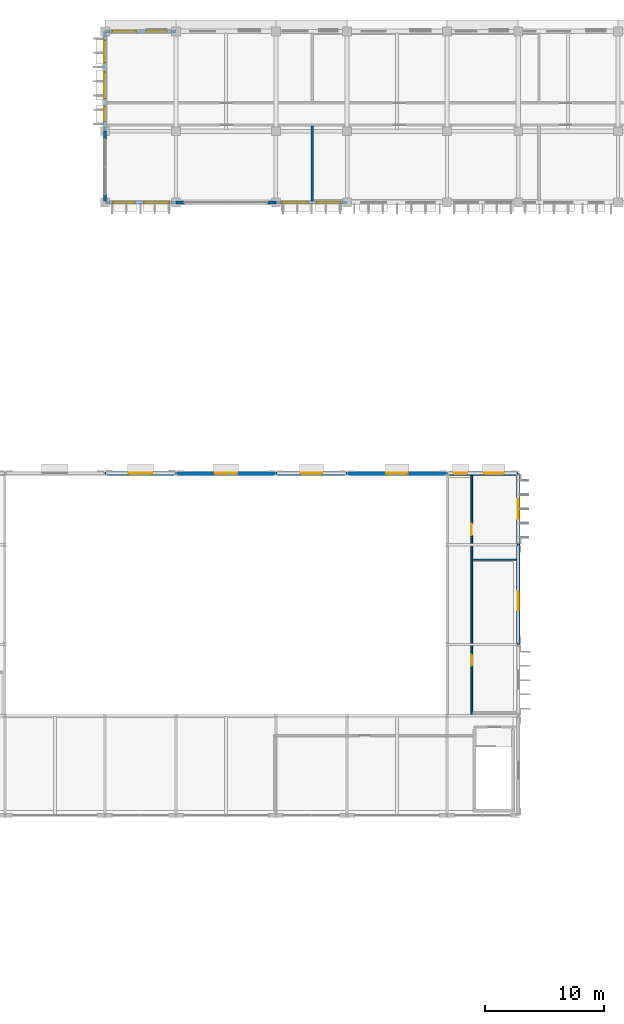
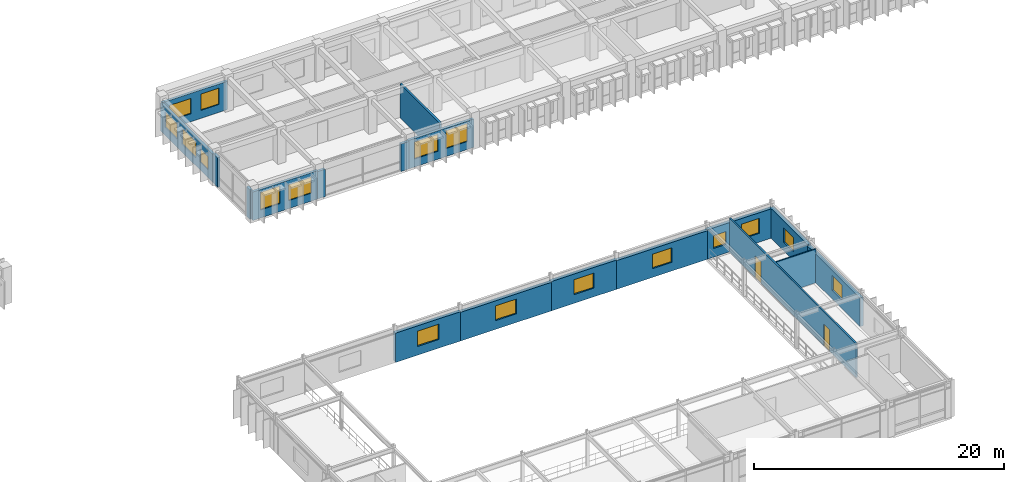
# One storey, part 58 of 88: 18 walls, 17 windows, 2 doors, 19 openings.
"""IFC4 building model written with IfcOpenShell, lengths in metres."""

from ifc_helpers import new_model, si_unit, direction, frame, frame_2d, origin, place, context, subcontext, project, spatial, rectangle, extrude, material, layer, layer_set, type_object, element, fill, save


model = new_model("IFC4")

# Units and contexts
model_context = context("Model", 3, precision=1e-05, world=origin(), true_north=direction((0.0, 1.0)))
body_context = subcontext(model_context, "Body", "Model", "MODEL_VIEW")
ifc_project = project(units=[si_unit("LENGTHUNIT", "METRE"), si_unit("AREAUNIT", "SQUARE_METRE"), si_unit("VOLUMEUNIT", "CUBIC_METRE"), si_unit("PLANEANGLEUNIT", "RADIAN"), si_unit("MASSUNIT", "GRAM", prefix="KILO"), si_unit("THERMODYNAMICTEMPERATUREUNIT", "KELVIN")], contexts=[model_context])

# Site, building, storey
site_placement = place(None, origin())
site = spatial("IfcSite", under=ifc_project, at=site_placement, CompositionType="ELEMENT")
building_placement = place(site_placement, origin())
building = spatial("IfcBuilding", under=site, at=building_placement, Name="Thalorik Housing Commons", CompositionType="ELEMENT")
storey_placement = place(building_placement, frame((0.0, 0.0, 4.5)))
storey = spatial("IfcBuildingStorey", under=building, at=storey_placement, Name="L01", CompositionType="ELEMENT", Elevation=4.5)

# Wall, openings, windows
ifc_material_1 = material(Name="White precast concrete C40/50", Category="concrete")
ifc_layer_1 = layer(ifc_material_1, 0.2451171875, Name="White precast concrete C40/50", Category="concrete")
ifc_layer_set_1 = layer_set([ifc_layer_1], Name="White precast concrete C40/50")
wall_type_1 = type_object("IfcWallType", Name="ARC-WAL-EXT-245", PredefinedType="STANDARD", material=ifc_layer_set_1)
wall_1_placement = place(storey_placement, frame((86.39990234375, 123.60009765625, 0.0), z_axis=(0.0, 0.0, 1.0), x_axis=(-1.0, 0.0, 0.0)))
wall_1 = element("IfcWall", 1, at=wall_1_placement, inside=storey, type_object=wall_type_1, Name="L01 Exterior Wall WAL-EXT-L01-B-0421", PredefinedType="STANDARD", context=body_context, shape_type="SweptSolid", body=[
    extrude(rectangle(XDim=6.0, YDim=0.2451171875, at=frame_2d((3.0, 0.0))), origin(), (0.0, 0.0, 1.0), 2.77490234375),
])
opening_1_placement = place(wall_1_placement, frame((0.780029296875, 0.0, 0.780029296875)))
opening_1 = element("IfcOpeningElement", 2, at=opening_1_placement, cuts=wall_1, Name="Opening W-16", PredefinedType="OPENING", context=body_context, shape_type="SweptSolid", body=[
    extrude(rectangle(XDim=1.699951171875, YDim=1.60009765625, at=frame_2d((0.85009765625, 0.800048828125))), frame((0.0, 0.132568359375, 0.0), z_axis=(0.0, -1.0, 0.0), x_axis=(1.0, 0.0, 0.0)), (0.0, 0.0, 1.0), 0.26513671875),
])
opening_2_placement = place(wall_1_placement, frame((3.3701171875, 0.0, 0.780029296875)))
opening_2 = element("IfcOpeningElement", 3, at=opening_2_placement, cuts=wall_1, Name="Opening W-23", PredefinedType="OPENING", context=body_context, shape_type="SweptSolid", body=[
    extrude(rectangle(XDim=2.0, YDim=1.5, at=frame_2d((1.0, 0.75))), frame((0.0, 0.132568359375, 0.0), z_axis=(0.0, -1.0, 0.0), x_axis=(1.0, 0.0, 0.0)), (0.0, 0.0, 1.0), 0.26513671875),
])
ifc_material_2 = material(Name="Anodised aluminium and solar-control low-E glass", Category="aluminium")
window_type_1 = type_object("IfcWindowType", Name="ARC-WIN-16", PartitioningType="DOUBLE_PANEL_VERTICAL", PredefinedType="WINDOW", material=ifc_material_2)
window_1_placement = place(opening_1_placement, origin())
window_1 = element("IfcWindow", 4, at=window_1_placement, inside=storey, type_object=window_type_1, Name="L01 Facade Window 750", OverallHeight=1.60009765625, OverallWidth=1.699951171875, PartitioningType="DOUBLE_PANEL_VERTICAL", PredefinedType="WINDOW", context=body_context, shape_type="SweptSolid", body=[
    extrude(rectangle(XDim=1.699951171875, YDim=1.60009765625, at=frame_2d((0.85009765625, 0.800048828125))), frame((0.0, 0.030029296875, 0.0), z_axis=(0.0, -1.0, 0.0), x_axis=(1.0, 0.0, 0.0)), (0.0, 0.0, 1.0), 0.06005859375),
])
fill(opening_1, window_1)
window_type_2 = type_object("IfcWindowType", Name="ARC-WIN-23", PartitioningType="DOUBLE_PANEL_VERTICAL", PredefinedType="WINDOW", material=ifc_material_2)
window_2_placement = place(opening_2_placement, origin())
window_2 = element("IfcWindow", 5, at=window_2_placement, inside=storey, type_object=window_type_2, Name="L01 Facade Window 751", OverallHeight=1.5, OverallWidth=2.0, PartitioningType="DOUBLE_PANEL_VERTICAL", PredefinedType="WINDOW", context=body_context, shape_type="SweptSolid", body=[
    extrude(rectangle(XDim=2.0, YDim=1.5, at=frame_2d((1.0, 0.75))), frame((0.0, 0.030029296875, 0.0), z_axis=(0.0, -1.0, 0.0), x_axis=(1.0, 0.0, 0.0)), (0.0, 0.0, 1.0), 0.06005859375),
])
fill(opening_2, window_2)

wall_2_placement = place(storey_placement, frame((80.39990234375, 123.60009765625, 0.0), z_axis=(0.0, 0.0, 1.0), x_axis=(0.0, -1.0, 0.0)))
wall_2 = element("IfcWall", 6, at=wall_2_placement, inside=storey, type_object=wall_type_1, Name="L01 Exterior Wall WAL-EXT-L01-B-0422", PredefinedType="STANDARD", context=body_context, shape_type="SweptSolid", body=[
    extrude(rectangle(XDim=8.400146484375, YDim=0.2451171875, at=frame_2d((4.2001953125, 0.0))), origin(), (0.0, 0.0, 1.0), 2.72509765625),
])
opening_3_placement = place(wall_2_placement, frame((0.742431640625, 0.0, 0.780029296875)))
opening_3 = element("IfcOpeningElement", 7, at=opening_3_placement, cuts=wall_2, Name="Opening W-59", PredefinedType="OPENING", context=body_context, shape_type="SweptSolid", body=[
    extrude(rectangle(XDim=1.8798828125, YDim=1.52001953125, at=frame_2d((0.93994140625, 0.760009765625))), frame((0.0, 0.132568359375, 0.0), z_axis=(0.0, -1.0, 0.0), x_axis=(1.0, 0.0, 0.0)), (0.0, 0.0, 1.0), 0.26513671875),
])
opening_4_placement = place(wall_2_placement, frame((3.407470703125, 0.0, 0.780029296875)))
opening_4 = element("IfcOpeningElement", 8, at=opening_4_placement, cuts=wall_2, Name="Opening W-66", PredefinedType="OPENING", context=body_context, shape_type="SweptSolid", body=[
    extrude(rectangle(XDim=2.239990234375, YDim=1.52001953125, at=frame_2d((1.1201171875, 0.760009765625))), frame((0.0, 0.132568359375, 0.0), z_axis=(0.0, -1.0, 0.0), x_axis=(1.0, 0.0, 0.0)), (0.0, 0.0, 1.0), 0.26513671875),
])
opening_5_placement = place(wall_2_placement, frame((6.324951171875, 0.0, 0.780029296875)))
opening_5 = element("IfcOpeningElement", 9, at=opening_5_placement, cuts=wall_2, Name="Opening W-46", PredefinedType="OPENING", context=body_context, shape_type="SweptSolid", body=[
    extrude(rectangle(XDim=1.25, YDim=1.300048828125, at=frame_2d((0.625, 0.64990234375))), frame((0.0, 0.132568359375, 0.0), z_axis=(0.0, -1.0, 0.0), x_axis=(1.0, 0.0, 0.0)), (0.0, 0.0, 1.0), 0.26513671875),
])
window_type_3 = type_object("IfcWindowType", Name="ARC-WIN-46", PartitioningType="SINGLE_PANEL", PredefinedType="WINDOW", material=ifc_material_2)
window_3_placement = place(opening_5_placement, origin())
window_3 = element("IfcWindow", 10, at=window_3_placement, inside=storey, type_object=window_type_3, Name="L01 Facade Window 754", OverallHeight=1.300048828125, OverallWidth=1.25, PartitioningType="SINGLE_PANEL", PredefinedType="WINDOW", context=body_context, shape_type="SweptSolid", body=[
    extrude(rectangle(XDim=1.25, YDim=1.300048828125, at=frame_2d((0.625, 0.64990234375))), frame((0.0, 0.030029296875, 0.0), z_axis=(0.0, -1.0, 0.0), x_axis=(1.0, 0.0, 0.0)), (0.0, 0.0, 1.0), 0.06005859375),
])
fill(opening_5, window_3)
window_type_4 = type_object("IfcWindowType", Name="ARC-WIN-59", PartitioningType="DOUBLE_PANEL_VERTICAL", PredefinedType="WINDOW", material=ifc_material_2)
window_4_placement = place(opening_3_placement, origin())
window_4 = element("IfcWindow", 11, at=window_4_placement, inside=storey, type_object=window_type_4, Name="L01 Facade Window 752", OverallHeight=1.52001953125, OverallWidth=1.8798828125, PartitioningType="DOUBLE_PANEL_VERTICAL", PredefinedType="WINDOW", context=body_context, shape_type="SweptSolid", body=[
    extrude(rectangle(XDim=1.8798828125, YDim=1.52001953125, at=frame_2d((0.93994140625, 0.760009765625))), frame((0.0, 0.030029296875, 0.0), z_axis=(0.0, -1.0, 0.0), x_axis=(1.0, 0.0, 0.0)), (0.0, 0.0, 1.0), 0.06005859375),
])
fill(opening_3, window_4)
window_type_5 = type_object("IfcWindowType", Name="ARC-WIN-66", PartitioningType="DOUBLE_PANEL_VERTICAL", PredefinedType="WINDOW", material=ifc_material_2)
window_5_placement = place(opening_4_placement, origin())
window_5 = element("IfcWindow", 12, at=window_5_placement, inside=storey, type_object=window_type_5, Name="L01 Facade Window 753", OverallHeight=1.52001953125, OverallWidth=2.239990234375, PartitioningType="DOUBLE_PANEL_VERTICAL", PredefinedType="WINDOW", context=body_context, shape_type="SweptSolid", body=[
    extrude(rectangle(XDim=2.239990234375, YDim=1.52001953125, at=frame_2d((1.1201171875, 0.760009765625))), frame((0.0, 0.030029296875, 0.0), z_axis=(0.0, -1.0, 0.0), x_axis=(1.0, 0.0, 0.0)), (0.0, 0.0, 1.0), 0.06005859375),
])
fill(opening_4, window_5)

# Walls
wall_3_placement = place(storey_placement, frame((80.39990234375, 115.199951171875, 0.0), z_axis=(0.0, 0.0, 1.0), x_axis=(0.0, -1.0, 0.0)))
element("IfcWall", 13, at=wall_3_placement, inside=storey, type_object=wall_type_1, Name="L01 Exterior Wall WAL-PIERL-L01-B-0423", PredefinedType="STANDARD", context=body_context, shape_type="SweptSolid", body=[
    extrude(rectangle(XDim=0.699951171875, YDim=0.2451171875, at=frame_2d((0.35009765625, 0.0))), origin(), (0.0, 0.0, 1.0), 2.875),
])
wall_4_placement = place(storey_placement, frame((80.39990234375, 109.89990234375, 0.0), z_axis=(0.0, 0.0, 1.0), x_axis=(0.0, -1.0, 0.0)))
element("IfcWall", 14, at=wall_4_placement, inside=storey, type_object=wall_type_1, Name="L01 Exterior Wall WAL-PIERR-L01-B-0423", PredefinedType="STANDARD", context=body_context, shape_type="SweptSolid", body=[
    extrude(rectangle(XDim=0.575439453125, YDim=0.2451171875, at=frame_2d((0.28759765625, 0.0))), origin(), (0.0, 0.0, 1.0), 2.875),
])

# Wall, openings, windows
wall_5_placement = place(storey_placement, frame((80.39990234375, 109.199951171875, 0.0), z_axis=(0.0, 0.0, 1.0), x_axis=(1.0, 0.0, 0.0)))
wall_5 = element("IfcWall", 15, at=wall_5_placement, inside=storey, type_object=wall_type_1, Name="L01 Exterior Wall WAL-EXT-L01-B-0424", PredefinedType="STANDARD", context=body_context, shape_type="SweptSolid", body=[
    extrude(rectangle(XDim=6.0, YDim=0.2451171875, at=frame_2d((3.0, 0.0))), origin(), (0.0, 0.0, 1.0), 2.77490234375),
])
opening_6_placement = place(wall_5_placement, frame((0.72998046875, 0.0, 0.780029296875)))
opening_6 = element("IfcOpeningElement", 16, at=opening_6_placement, cuts=wall_5, Name="Opening W-19", PredefinedType="OPENING", context=body_context, shape_type="SweptSolid", body=[
    extrude(rectangle(XDim=1.800048828125, YDim=1.699951171875, at=frame_2d((0.89990234375, 0.85009765625))), frame((0.0, 0.132568359375, 0.0), z_axis=(0.0, -1.0, 0.0), x_axis=(1.0, 0.0, 0.0)), (0.0, 0.0, 1.0), 0.26513671875),
])
opening_7_placement = place(wall_5_placement, frame((3.320068359375, 0.0, 0.780029296875)))
opening_7 = element("IfcOpeningElement", 17, at=opening_7_placement, cuts=wall_5, Name="Opening W-26", PredefinedType="OPENING", context=body_context, shape_type="SweptSolid", body=[
    extrude(rectangle(XDim=2.10009765625, YDim=1.550048828125, at=frame_2d((1.050048828125, 0.77490234375))), frame((0.0, 0.132568359375, 0.0), z_axis=(0.0, -1.0, 0.0), x_axis=(1.0, 0.0, 0.0)), (0.0, 0.0, 1.0), 0.26513671875),
])
window_type_6 = type_object("IfcWindowType", Name="ARC-WIN-19", PartitioningType="DOUBLE_PANEL_VERTICAL", PredefinedType="WINDOW", material=ifc_material_2)
window_6_placement = place(opening_6_placement, origin())
window_6 = element("IfcWindow", 18, at=window_6_placement, inside=storey, type_object=window_type_6, Name="L01 Facade Window 755", OverallHeight=1.699951171875, OverallWidth=1.800048828125, PartitioningType="DOUBLE_PANEL_VERTICAL", PredefinedType="WINDOW", context=body_context, shape_type="SweptSolid", body=[
    extrude(rectangle(XDim=1.800048828125, YDim=1.699951171875, at=frame_2d((0.89990234375, 0.85009765625))), frame((0.0, 0.030029296875, 0.0), z_axis=(0.0, -1.0, 0.0), x_axis=(1.0, 0.0, 0.0)), (0.0, 0.0, 1.0), 0.06005859375),
])
fill(opening_6, window_6)
window_type_7 = type_object("IfcWindowType", Name="ARC-WIN-26", PartitioningType="DOUBLE_PANEL_VERTICAL", PredefinedType="WINDOW", material=ifc_material_2)
window_7_placement = place(opening_7_placement, origin())
window_7 = element("IfcWindow", 19, at=window_7_placement, inside=storey, type_object=window_type_7, Name="L01 Facade Window 756", OverallHeight=1.550048828125, OverallWidth=2.10009765625, PartitioningType="DOUBLE_PANEL_VERTICAL", PredefinedType="WINDOW", context=body_context, shape_type="SweptSolid", body=[
    extrude(rectangle(XDim=2.10009765625, YDim=1.550048828125, at=frame_2d((1.050048828125, 0.77490234375))), frame((0.0, 0.030029296875, 0.0), z_axis=(0.0, -1.0, 0.0), x_axis=(1.0, 0.0, 0.0)), (0.0, 0.0, 1.0), 0.06005859375),
])
fill(opening_7, window_7)

# Walls
wall_6_placement = place(storey_placement, frame((86.39990234375, 109.199951171875, 0.0), z_axis=(0.0, 0.0, 1.0), x_axis=(1.0, 0.0, 0.0)))
element("IfcWall", 20, at=wall_6_placement, inside=storey, type_object=wall_type_1, Name="L01 Exterior Wall WAL-PIERL-L01-B-0425", PredefinedType="STANDARD", context=body_context, shape_type="SweptSolid", body=[
    extrude(rectangle(XDim=0.7001953125, YDim=0.2451171875, at=frame_2d((0.35009765625, 0.0))), origin(), (0.0, 0.0, 1.0), 2.675048828125),
])
wall_7_placement = place(storey_placement, frame((94.10009765625, 109.199951171875, 0.0), z_axis=(0.0, 0.0, 1.0), x_axis=(1.0, 0.0, 0.0)))
element("IfcWall", 21, at=wall_7_placement, inside=storey, type_object=wall_type_1, Name="L01 Exterior Wall WAL-PIERR-L01-B-0425", PredefinedType="STANDARD", context=body_context, shape_type="SweptSolid", body=[
    extrude(rectangle(XDim=0.699951171875, YDim=0.2451171875, at=frame_2d((0.35009765625, 0.0))), origin(), (0.0, 0.0, 1.0), 2.675048828125),
])

# Wall, openings, windows
wall_8_placement = place(storey_placement, frame((94.800048828125, 109.199951171875, 0.0), z_axis=(0.0, 0.0, 1.0), x_axis=(1.0, 0.0, 0.0)))
wall_8 = element("IfcWall", 22, at=wall_8_placement, inside=storey, type_object=wall_type_1, Name="L01 Exterior Wall WAL-EXT-L01-B-0426", PredefinedType="STANDARD", context=body_context, shape_type="SweptSolid", body=[
    extrude(rectangle(XDim=6.0, YDim=0.2451171875, at=frame_2d((3.0, 0.0))), origin(), (0.0, 0.0, 1.0), 2.77490234375),
])
opening_8_placement = place(wall_8_placement, frame((0.550048828125, 0.0, 0.780029296875)))
opening_8 = element("IfcOpeningElement", 23, at=opening_8_placement, cuts=wall_8, Name="Opening W-28", PredefinedType="OPENING", context=body_context, shape_type="SweptSolid", body=[
    extrude(rectangle(XDim=2.14990234375, YDim=1.64990234375, at=frame_2d((1.074951171875, 0.824951171875))), frame((0.0, 0.132568359375, 0.0), z_axis=(0.0, -1.0, 0.0), x_axis=(1.0, 0.0, 0.0)), (0.0, 0.0, 1.0), 0.26513671875),
])
opening_9_placement = place(wall_8_placement, frame((3.43505859375, 0.0, 0.780029296875)))
opening_9 = element("IfcOpeningElement", 24, at=opening_9_placement, cuts=wall_8, Name="Opening W-24", PredefinedType="OPENING", context=body_context, shape_type="SweptSolid", body=[
    extrude(rectangle(XDim=2.0, YDim=1.75, at=frame_2d((1.0, 0.875))), frame((0.0, 0.132568359375, 0.0), z_axis=(0.0, -1.0, 0.0), x_axis=(1.0, 0.0, 0.0)), (0.0, 0.0, 1.0), 0.26513671875),
])
window_type_8 = type_object("IfcWindowType", Name="ARC-WIN-24", PartitioningType="DOUBLE_PANEL_VERTICAL", PredefinedType="WINDOW", material=ifc_material_2)
window_8_placement = place(opening_9_placement, origin())
window_8 = element("IfcWindow", 25, at=window_8_placement, inside=storey, type_object=window_type_8, Name="L01 Facade Window 758", OverallHeight=1.75, OverallWidth=2.0, PartitioningType="DOUBLE_PANEL_VERTICAL", PredefinedType="WINDOW", context=body_context, shape_type="SweptSolid", body=[
    extrude(rectangle(XDim=2.0, YDim=1.75, at=frame_2d((1.0, 0.875))), frame((0.0, 0.030029296875, 0.0), z_axis=(0.0, -1.0, 0.0), x_axis=(1.0, 0.0, 0.0)), (0.0, 0.0, 1.0), 0.06005859375),
])
fill(opening_9, window_8)
window_type_9 = type_object("IfcWindowType", Name="ARC-WIN-28", PartitioningType="DOUBLE_PANEL_VERTICAL", PredefinedType="WINDOW", material=ifc_material_2)
window_9_placement = place(opening_8_placement, origin())
window_9 = element("IfcWindow", 26, at=window_9_placement, inside=storey, type_object=window_type_9, Name="L01 Facade Window 757", OverallHeight=1.64990234375, OverallWidth=2.14990234375, PartitioningType="DOUBLE_PANEL_VERTICAL", PredefinedType="WINDOW", context=body_context, shape_type="SweptSolid", body=[
    extrude(rectangle(XDim=2.14990234375, YDim=1.64990234375, at=frame_2d((1.074951171875, 0.824951171875))), frame((0.0, 0.030029296875, 0.0), z_axis=(0.0, -1.0, 0.0), x_axis=(1.0, 0.0, 0.0)), (0.0, 0.0, 1.0), 0.06005859375),
])
fill(opening_8, window_9)

# Wall, opening, window
ifc_layer_2 = layer(ifc_material_1, 0.320068359375, Name="White precast concrete C40/50", Category="concrete")
ifc_layer_set_2 = layer_set([ifc_layer_2], Name="White precast concrete C40/50")
wall_type_2 = type_object("IfcWallType", Name="ARC-WAL-EXT-320", PredefinedType="STANDARD", material=ifc_layer_set_2)
wall_9_placement = place(storey_placement, frame((115.199951171875, 72.0, 0.0), z_axis=(0.0, 0.0, 1.0), x_axis=(0.0, 1.0, 0.0)))
wall_9 = element("IfcWall", 27, at=wall_9_placement, inside=storey, type_object=wall_type_2, Name="L01 Exterior Wall WAL-HALL-L01-1310", PredefinedType="STANDARD", context=body_context, shape_type="SweptSolid", body=[
    extrude(rectangle(XDim=8.39990234375, YDim=0.320068359375, at=frame_2d((4.199951171875, 0.0))), origin(), (0.0, 0.0, 1.0), 2.7900390625),
])
opening_10_placement = place(wall_9_placement, frame((2.864990234375, 0.0, 0.85009765625)))
opening_10 = element("IfcOpeningElement", 28, at=opening_10_placement, cuts=wall_9, Name="Opening W-53", PredefinedType="OPENING", context=body_context, shape_type="SweptSolid", body=[
    extrude(rectangle(XDim=1.580078125, YDim=1.47998046875, at=frame_2d((0.7900390625, 0.739990234375))), frame((0.0, 0.169921875, 0.0), z_axis=(0.0, -1.0, 0.0), x_axis=(1.0, 0.0, 0.0)), (0.0, 0.0, 1.0), 0.340087890625),
])
window_type_10 = type_object("IfcWindowType", Name="ARC-WIN-53", PartitioningType="SINGLE_PANEL", PredefinedType="WINDOW", material=ifc_material_2)
window_10_placement = place(opening_10_placement, origin())
window_10 = element("IfcWindow", 29, at=window_10_placement, inside=storey, type_object=window_type_10, Name="L01 Facade Window 2345", OverallHeight=1.47998046875, OverallWidth=1.580078125, PartitioningType="SINGLE_PANEL", PredefinedType="WINDOW", context=body_context, shape_type="SweptSolid", body=[
    extrude(rectangle(XDim=1.580078125, YDim=1.47998046875, at=frame_2d((0.7900390625, 0.739990234375))), frame((0.0, 0.030029296875, 0.0), z_axis=(0.0, -1.0, 0.0), x_axis=(1.0, 0.0, 0.0)), (0.0, 0.0, 1.0), 0.06005859375),
])
fill(opening_10, window_10)

wall_10_placement = place(storey_placement, frame((115.199951171875, 80.39990234375, 0.0), z_axis=(0.0, 0.0, 1.0), x_axis=(0.0, 1.0, 0.0)))
wall_10 = element("IfcWall", 30, at=wall_10_placement, inside=storey, type_object=wall_type_2, Name="L01 Exterior Wall WAL-HALL-L01-1311", PredefinedType="STANDARD", context=body_context, shape_type="SweptSolid", body=[
    extrude(rectangle(XDim=6.0, YDim=0.320068359375, at=frame_2d((3.0, 0.0))), origin(), (0.0, 0.0, 1.0), 2.912109375),
])
opening_11_placement = place(wall_10_placement, frame((2.18994140625, 0.0, 0.85009765625)))
opening_11 = element("IfcOpeningElement", 31, at=opening_11_placement, cuts=wall_10, Name="Opening W-54", PredefinedType="OPENING", context=body_context, shape_type="SweptSolid", body=[
    extrude(rectangle(XDim=1.6201171875, YDim=1.3798828125, at=frame_2d((0.81005859375, 0.68994140625))), frame((0.0, 0.169921875, 0.0), z_axis=(0.0, -1.0, 0.0), x_axis=(1.0, 0.0, 0.0)), (0.0, 0.0, 1.0), 0.340087890625),
])
window_type_11 = type_object("IfcWindowType", Name="ARC-WIN-54", PartitioningType="DOUBLE_PANEL_VERTICAL", PredefinedType="WINDOW", material=ifc_material_2)
window_11_placement = place(opening_11_placement, origin())
window_11 = element("IfcWindow", 32, at=window_11_placement, inside=storey, type_object=window_type_11, Name="L01 Facade Window 2346", OverallHeight=1.3798828125, OverallWidth=1.6201171875, PartitioningType="DOUBLE_PANEL_VERTICAL", PredefinedType="WINDOW", context=body_context, shape_type="SweptSolid", body=[
    extrude(rectangle(XDim=1.6201171875, YDim=1.3798828125, at=frame_2d((0.81005859375, 0.68994140625))), frame((0.0, 0.030029296875, 0.0), z_axis=(0.0, -1.0, 0.0), x_axis=(1.0, 0.0, 0.0)), (0.0, 0.0, 1.0), 0.06005859375),
])
fill(opening_11, window_11)

# Wall, openings, windows
wall_11_placement = place(storey_placement, frame((115.199951171875, 86.39990234375, 0.0), z_axis=(0.0, 0.0, 1.0), x_axis=(-1.0, 0.0, 0.0)))
wall_11 = element("IfcWall", 33, at=wall_11_placement, inside=storey, type_object=wall_type_2, Name="L01 Exterior Wall WAL-HALL-L01-1312", PredefinedType="STANDARD", context=body_context, shape_type="SweptSolid", body=[
    extrude(rectangle(XDim=6.0, YDim=0.320068359375, at=frame_2d((3.0, 0.0))), origin(), (0.0, 0.0, 1.0), 2.862060546875),
])
opening_12_placement = place(wall_11_placement, frame((1.215087890625, 0.0, 0.85009765625)))
opening_12 = element("IfcOpeningElement", 34, at=opening_12_placement, cuts=wall_11, Name="Opening W-55", PredefinedType="OPENING", context=body_context, shape_type="SweptSolid", body=[
    extrude(rectangle(XDim=1.679931640625, YDim=1.4599609375, at=frame_2d((0.83984375, 0.72998046875))), frame((0.0, 0.169921875, 0.0), z_axis=(0.0, -1.0, 0.0), x_axis=(1.0, 0.0, 0.0)), (0.0, 0.0, 1.0), 0.340087890625),
])
opening_13_placement = place(wall_11_placement, frame((4.2900390625, 0.0, 0.85009765625)))
opening_13 = element("IfcOpeningElement", 35, at=opening_13_placement, cuts=wall_11, Name="Opening W-45", PredefinedType="OPENING", context=body_context, shape_type="SweptSolid", body=[
    extrude(rectangle(XDim=1.14990234375, YDim=1.25, at=frame_2d((0.574951171875, 0.625))), frame((0.0, 0.169921875, 0.0), z_axis=(0.0, -1.0, 0.0), x_axis=(1.0, 0.0, 0.0)), (0.0, 0.0, 1.0), 0.340087890625),
])
window_type_12 = type_object("IfcWindowType", Name="ARC-WIN-45", PartitioningType="SINGLE_PANEL", PredefinedType="WINDOW", material=ifc_material_2)
window_12_placement = place(opening_13_placement, origin())
window_12 = element("IfcWindow", 36, at=window_12_placement, inside=storey, type_object=window_type_12, Name="L01 Facade Window 2348", OverallHeight=1.25, OverallWidth=1.14990234375, PartitioningType="SINGLE_PANEL", PredefinedType="WINDOW", context=body_context, shape_type="SweptSolid", body=[
    extrude(rectangle(XDim=1.14990234375, YDim=1.25, at=frame_2d((0.574951171875, 0.625))), frame((0.0, 0.030029296875, 0.0), z_axis=(0.0, -1.0, 0.0), x_axis=(1.0, 0.0, 0.0)), (0.0, 0.0, 1.0), 0.06005859375),
])
fill(opening_13, window_12)
window_type_13 = type_object("IfcWindowType", Name="ARC-WIN-55", PartitioningType="DOUBLE_PANEL_VERTICAL", PredefinedType="WINDOW", material=ifc_material_2)
window_13_placement = place(opening_12_placement, origin())
window_13 = element("IfcWindow", 37, at=window_13_placement, inside=storey, type_object=window_type_13, Name="L01 Facade Window 2347", OverallHeight=1.4599609375, OverallWidth=1.679931640625, PartitioningType="DOUBLE_PANEL_VERTICAL", PredefinedType="WINDOW", context=body_context, shape_type="SweptSolid", body=[
    extrude(rectangle(XDim=1.679931640625, YDim=1.4599609375, at=frame_2d((0.83984375, 0.72998046875))), frame((0.0, 0.030029296875, 0.0), z_axis=(0.0, -1.0, 0.0), x_axis=(1.0, 0.0, 0.0)), (0.0, 0.0, 1.0), 0.06005859375),
])
fill(opening_12, window_13)

# Wall, opening, window
wall_12_placement = place(storey_placement, frame((109.199951171875, 86.39990234375, 0.0), z_axis=(0.0, 0.0, 1.0), x_axis=(-1.0, 0.0, 0.0)))
wall_12 = element("IfcWall", 38, at=wall_12_placement, inside=storey, type_object=wall_type_2, Name="L01 Exterior Wall WAL-HALL-L01-1313", PredefinedType="STANDARD", context=body_context, shape_type="SweptSolid", body=[
    extrude(rectangle(XDim=8.39990234375, YDim=0.320068359375, at=frame_2d((4.199951171875, 0.0))), origin(), (0.0, 0.0, 1.0), 2.785888671875),
])
opening_14_placement = place(wall_12_placement, frame((3.31005859375, 0.0, 0.85009765625)))
opening_14 = element("IfcOpeningElement", 39, at=opening_14_placement, cuts=wall_12, Name="Opening W-57", PredefinedType="OPENING", context=body_context, shape_type="SweptSolid", body=[
    extrude(rectangle(XDim=1.780029296875, YDim=1.419921875, at=frame_2d((0.89013671875, 0.7099609375))), frame((0.0, 0.169921875, 0.0), z_axis=(0.0, -1.0, 0.0), x_axis=(1.0, 0.0, 0.0)), (0.0, 0.0, 1.0), 0.340087890625),
])
window_type_14 = type_object("IfcWindowType", Name="ARC-WIN-57", PartitioningType="DOUBLE_PANEL_VERTICAL", PredefinedType="WINDOW", material=ifc_material_2)
window_14_placement = place(opening_14_placement, origin())
window_14 = element("IfcWindow", 40, at=window_14_placement, inside=storey, type_object=window_type_14, Name="L01 Facade Window 2349", OverallHeight=1.419921875, OverallWidth=1.780029296875, PartitioningType="DOUBLE_PANEL_VERTICAL", PredefinedType="WINDOW", context=body_context, shape_type="SweptSolid", body=[
    extrude(rectangle(XDim=1.780029296875, YDim=1.419921875, at=frame_2d((0.89013671875, 0.7099609375))), frame((0.0, 0.030029296875, 0.0), z_axis=(0.0, -1.0, 0.0), x_axis=(1.0, 0.0, 0.0)), (0.0, 0.0, 1.0), 0.06005859375),
])
fill(opening_14, window_14)

wall_13_placement = place(storey_placement, frame((100.800048828125, 86.39990234375, 0.0), z_axis=(0.0, 0.0, 1.0), x_axis=(-1.0, 0.0, 0.0)))
wall_13 = element("IfcWall", 41, at=wall_13_placement, inside=storey, type_object=wall_type_2, Name="L01 Exterior Wall WAL-HALL-L01-1314", PredefinedType="STANDARD", context=body_context, shape_type="SweptSolid", body=[
    extrude(rectangle(XDim=6.0, YDim=0.320068359375, at=frame_2d((3.0, 0.0))), origin(), (0.0, 0.0, 1.0), 2.862060546875),
])
opening_15_placement = place(wall_13_placement, frame((2.090087890625, 0.0, 0.85009765625)))
opening_15 = element("IfcOpeningElement", 42, at=opening_15_placement, cuts=wall_13, Name="Opening W-58", PredefinedType="OPENING", context=body_context, shape_type="SweptSolid", body=[
    extrude(rectangle(XDim=1.820068359375, YDim=1.4599609375, at=frame_2d((0.91015625, 0.72998046875))), frame((0.0, 0.169921875, 0.0), z_axis=(0.0, -1.0, 0.0), x_axis=(1.0, 0.0, 0.0)), (0.0, 0.0, 1.0), 0.340087890625),
])
window_type_15 = type_object("IfcWindowType", Name="ARC-WIN-58", PartitioningType="DOUBLE_PANEL_VERTICAL", PredefinedType="WINDOW", material=ifc_material_2)
window_15_placement = place(opening_15_placement, origin())
window_15 = element("IfcWindow", 43, at=window_15_placement, inside=storey, type_object=window_type_15, Name="L01 Facade Window 2350", OverallHeight=1.4599609375, OverallWidth=1.820068359375, PartitioningType="DOUBLE_PANEL_VERTICAL", PredefinedType="WINDOW", context=body_context, shape_type="SweptSolid", body=[
    extrude(rectangle(XDim=1.820068359375, YDim=1.4599609375, at=frame_2d((0.91015625, 0.72998046875))), frame((0.0, 0.030029296875, 0.0), z_axis=(0.0, -1.0, 0.0), x_axis=(1.0, 0.0, 0.0)), (0.0, 0.0, 1.0), 0.06005859375),
])
fill(opening_15, window_15)

wall_14_placement = place(storey_placement, frame((94.800048828125, 86.39990234375, 0.0), z_axis=(0.0, 0.0, 1.0), x_axis=(-1.0, 0.0, 0.0)))
wall_14 = element("IfcWall", 44, at=wall_14_placement, inside=storey, type_object=wall_type_2, Name="L01 Exterior Wall WAL-HALL-L01-1315", PredefinedType="STANDARD", context=body_context, shape_type="SweptSolid", body=[
    extrude(rectangle(XDim=8.400146484375, YDim=0.320068359375, at=frame_2d((4.2001953125, 0.0))), origin(), (0.0, 0.0, 1.0), 2.785888671875),
])
opening_16_placement = place(wall_14_placement, frame((3.239990234375, 0.0, 0.85009765625)))
opening_16 = element("IfcOpeningElement", 45, at=opening_16_placement, cuts=wall_14, Name="Opening W-60", PredefinedType="OPENING", context=body_context, shape_type="SweptSolid", body=[
    extrude(rectangle(XDim=1.919921875, YDim=1.43994140625, at=frame_2d((0.9599609375, 0.719970703125))), frame((0.0, 0.169921875, 0.0), z_axis=(0.0, -1.0, 0.0), x_axis=(1.0, 0.0, 0.0)), (0.0, 0.0, 1.0), 0.340087890625),
])
window_type_16 = type_object("IfcWindowType", Name="ARC-WIN-60", PartitioningType="DOUBLE_PANEL_VERTICAL", PredefinedType="WINDOW", material=ifc_material_2)
window_16_placement = place(opening_16_placement, origin())
window_16 = element("IfcWindow", 46, at=window_16_placement, inside=storey, type_object=window_type_16, Name="L01 Facade Window 2351", OverallHeight=1.43994140625, OverallWidth=1.919921875, PartitioningType="DOUBLE_PANEL_VERTICAL", PredefinedType="WINDOW", context=body_context, shape_type="SweptSolid", body=[
    extrude(rectangle(XDim=1.919921875, YDim=1.43994140625, at=frame_2d((0.9599609375, 0.719970703125))), frame((0.0, 0.030029296875, 0.0), z_axis=(0.0, -1.0, 0.0), x_axis=(1.0, 0.0, 0.0)), (0.0, 0.0, 1.0), 0.06005859375),
])
fill(opening_16, window_16)

wall_15_placement = place(storey_placement, frame((86.39990234375, 86.39990234375, 0.0), z_axis=(0.0, 0.0, 1.0), x_axis=(-1.0, 0.0, 0.0)))
wall_15 = element("IfcWall", 47, at=wall_15_placement, inside=storey, type_object=wall_type_2, Name="L01 Exterior Wall WAL-HALL-L01-1316", PredefinedType="STANDARD", context=body_context, shape_type="SweptSolid", body=[
    extrude(rectangle(XDim=6.0, YDim=0.320068359375, at=frame_2d((3.0, 0.0))), origin(), (0.0, 0.0, 1.0), 2.862060546875),
])
opening_17_placement = place(wall_15_placement, frame((2.010009765625, 0.0, 0.85009765625)))
opening_17 = element("IfcOpeningElement", 48, at=opening_17_placement, cuts=wall_15, Name="Opening W-61", PredefinedType="OPENING", context=body_context, shape_type="SweptSolid", body=[
    extrude(rectangle(XDim=1.97998046875, YDim=1.5, at=frame_2d((0.989990234375, 0.75))), frame((0.0, 0.169921875, 0.0), z_axis=(0.0, -1.0, 0.0), x_axis=(1.0, 0.0, 0.0)), (0.0, 0.0, 1.0), 0.340087890625),
])
window_type_17 = type_object("IfcWindowType", Name="ARC-WIN-61", PartitioningType="DOUBLE_PANEL_VERTICAL", PredefinedType="WINDOW", material=ifc_material_2)
window_17_placement = place(opening_17_placement, origin())
window_17 = element("IfcWindow", 49, at=window_17_placement, inside=storey, type_object=window_type_17, Name="L01 Facade Window 2352", OverallHeight=1.5, OverallWidth=1.97998046875, PartitioningType="DOUBLE_PANEL_VERTICAL", PredefinedType="WINDOW", context=body_context, shape_type="SweptSolid", body=[
    extrude(rectangle(XDim=1.97998046875, YDim=1.5, at=frame_2d((0.989990234375, 0.75))), frame((0.0, 0.030029296875, 0.0), z_axis=(0.0, -1.0, 0.0), x_axis=(1.0, 0.0, 0.0)), (0.0, 0.0, 1.0), 0.06005859375),
])
fill(opening_17, window_17)

# Wall
ifc_material_3 = material(Name="Gypsum light stud partition", Category="masonry")
ifc_layer_3 = layer(ifc_material_3, 0.10009765625, Name="Gypsum light stud partition", Category="masonry")
ifc_layer_set_3 = layer_set([ifc_layer_3], Name="Gypsum light stud partition")
wall_type_3 = type_object("IfcWallType", Name="ARC-WAL-PART-100", PredefinedType="PARTITIONING", material=ifc_layer_set_3)
wall_16_placement = place(storey_placement, frame((111.35595703125, 79.1201171875, 0.0), z_axis=(0.0, 0.0, 1.0), x_axis=(1.0, 0.0, 0.0)))
element("IfcWall", 50, at=wall_16_placement, inside=storey, type_object=wall_type_3, Name="L01 Hall Bathroom Divider", PredefinedType="PARTITIONING", context=body_context, shape_type="SweptSolid", body=[
    extrude(rectangle(XDim=3.7041015625, YDim=0.10009765625, at=frame_2d((1.85205078125, 0.0))), origin(), (0.0, 0.0, 1.0), 3.300048828125),
])

# Wall, openings, doors
ifc_material_4 = material(Name="Ceramic masonry partition wall", Category="masonry")
ifc_layer_4 = layer(ifc_material_4, 0.14794921875, Name="Ceramic masonry partition wall", Category="masonry")
ifc_layer_set_4 = layer_set([ifc_layer_4], Name="Ceramic masonry partition wall")
wall_type_4 = type_object("IfcWallType", Name="ARC-WAL-PART-150", PredefinedType="PARTITIONING", material=ifc_layer_set_4)
wall_17_placement = place(storey_placement, frame((111.280029296875, 66.0, 0.0), z_axis=(0.0, 0.0, 1.0), x_axis=(0.0, 1.0, 0.0)))
wall_17 = element("IfcWall", 51, at=wall_17_placement, inside=storey, type_object=wall_type_4, Name="L01 East Gallery Corridor Wall", PredefinedType="PARTITIONING", context=body_context, shape_type="SweptSolid", body=[
    extrude(rectangle(XDim=20.238037109375, YDim=0.14794921875, at=frame_2d((10.119140625, 0.0))), origin(), (0.0, 0.0, 1.0), 3.300048828125),
])
opening_18_placement = place(wall_17_placement, frame((4.199951171875, 0.0, 0.0)))
opening_18 = element("IfcOpeningElement", 52, at=opening_18_placement, cuts=wall_17, Name="Opening ID-2185", PredefinedType="OPENING", context=body_context, shape_type="SweptSolid", body=[
    extrude(rectangle(XDim=0.949951171875, YDim=2.10009765625, at=frame_2d((0.47509765625, 1.050048828125))), frame((0.0, 0.083984375, 0.0), z_axis=(0.0, -1.0, 0.0), x_axis=(1.0, 0.0, 0.0)), (0.0, 0.0, 1.0), 0.16796875),
])
opening_19_placement = place(wall_17_placement, frame((15.199951171875, 0.0, 0.0)))
opening_19 = element("IfcOpeningElement", 53, at=opening_19_placement, cuts=wall_17, Name="Opening ID-2186", PredefinedType="OPENING", context=body_context, shape_type="SweptSolid", body=[
    extrude(rectangle(XDim=0.949951171875, YDim=2.10009765625, at=frame_2d((0.47509765625, 1.050048828125))), frame((0.0, 0.083984375, 0.0), z_axis=(0.0, -1.0, 0.0), x_axis=(1.0, 0.0, 0.0)), (0.0, 0.0, 1.0), 0.16796875),
])
ifc_material_5 = material(Name="Steel S355", Category="steel")
door_type_1 = type_object("IfcDoorType", Name="ARC-DR-FD60-950", OperationType="NOTDEFINED", PredefinedType="DOOR", material=ifc_material_5)
door_1_placement = place(opening_18_placement, origin())
door_1 = element("IfcDoor", 54, at=door_1_placement, inside=storey, type_object=door_type_1, Name="L01 Ceramics Workshop Door", OperationType="SINGLE_SWING_LEFT", OverallHeight=2.10009765625, OverallWidth=0.949951171875, PredefinedType="DOOR", context=body_context, shape_type="SweptSolid", body=[
    extrude(rectangle(XDim=0.949951171875, YDim=2.10009765625, at=frame_2d((0.47509765625, 1.050048828125))), frame((0.0, 0.02490234375, 0.0), z_axis=(0.0, -1.0, 0.0), x_axis=(1.0, 0.0, 0.0)), (0.0, 0.0, 1.0), 0.050048828125),
])
fill(opening_18, door_1)
ifc_material_6 = material(Name="Engineered oak timber", Category="wood")
door_type_2 = type_object("IfcDoorType", Name="ARC-DR-INT-950", OperationType="NOTDEFINED", PredefinedType="DOOR", material=ifc_material_6)
door_2_placement = place(opening_19_placement, origin())
door_2 = element("IfcDoor", 55, at=door_2_placement, inside=storey, type_object=door_type_2, Name="L01 Hall Accessible Bathroom Door", OperationType="SINGLE_SWING_RIGHT", OverallHeight=2.10009765625, OverallWidth=0.949951171875, PredefinedType="DOOR", context=body_context, shape_type="SweptSolid", body=[
    extrude(rectangle(XDim=0.949951171875, YDim=2.10009765625, at=frame_2d((0.47509765625, 1.050048828125))), frame((0.0, 0.02490234375, 0.0), z_axis=(0.0, -1.0, 0.0), x_axis=(1.0, 0.0, 0.0)), (0.0, 0.0, 1.0), 0.050048828125),
])
fill(opening_19, door_2)

# Wall
ifc_material_7 = material(Name="Masonry acoustic blockwork wall", Category="masonry")
ifc_layer_5 = layer(ifc_material_7, 0.18505859375, Name="Masonry acoustic blockwork wall", Category="masonry")
ifc_layer_set_5 = layer_set([ifc_layer_5], Name="Masonry acoustic blockwork wall")
wall_type_5 = type_object("IfcWallType", Name="ARC-WAL-PARTY-185", PredefinedType="PARTITIONING", material=ifc_layer_set_5)
wall_18_placement = place(storey_placement, frame((97.860107421875, 109.324462890625, 0.0), z_axis=(0.0, 0.0, 1.0), x_axis=(0.0, 1.0, 0.0)))
element("IfcWall", 56, at=wall_18_placement, inside=storey, type_object=wall_type_5, Name="L01 Inter-Tenancy Wall 1A", PredefinedType="PARTITIONING", context=body_context, shape_type="SweptSolid", body=[
    extrude(rectangle(XDim=6.318603515625, YDim=0.18505859375, at=frame_2d((3.1591796875, 0.0))), origin(), (0.0, 0.0, 1.0), 3.300048828125),
])

save(model, "model.ifc")
